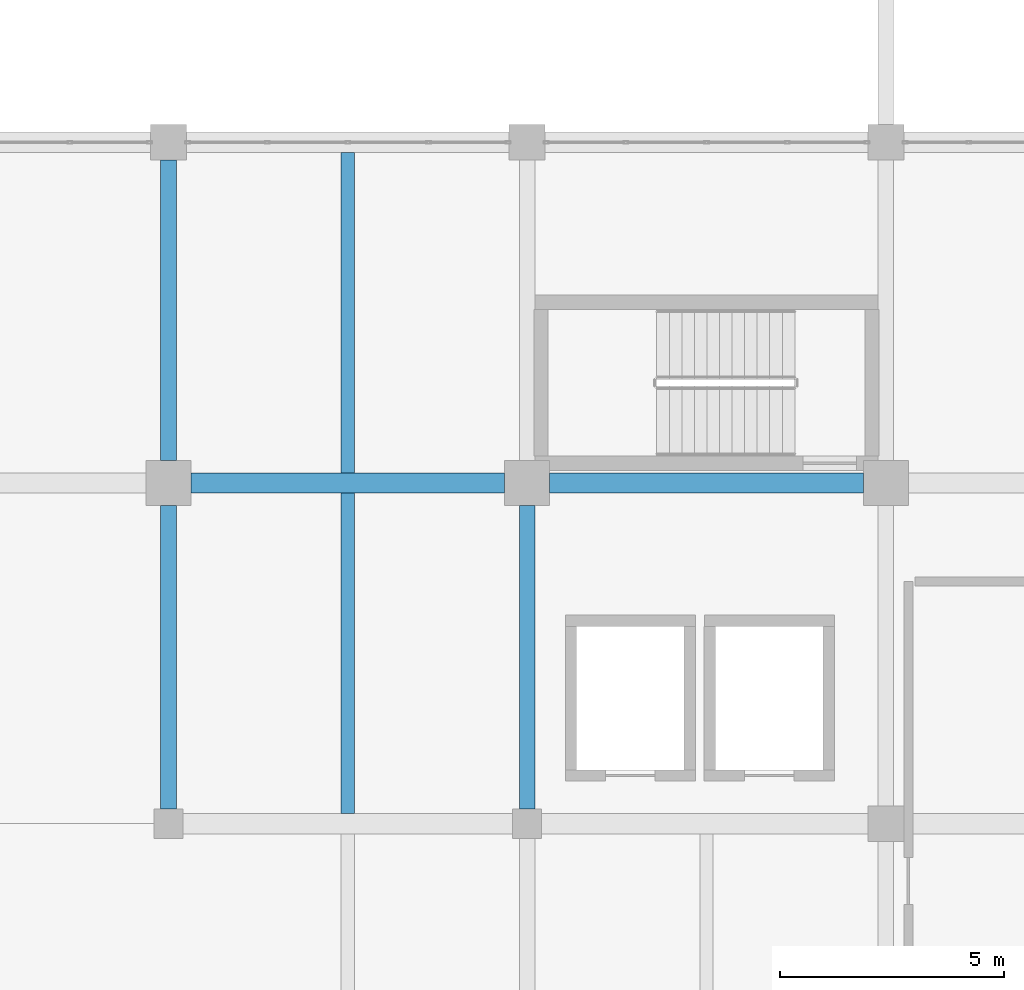
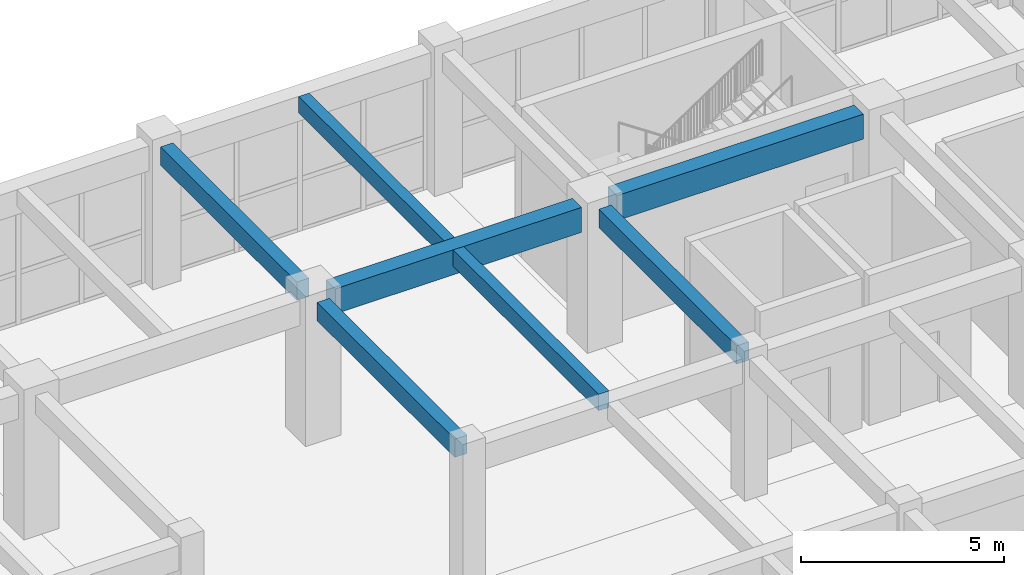
# One storey, part 31 of 79: 7 beams.
"""IFC4 building model written with IfcOpenShell, lengths in metres."""

from ifc_helpers import new_model, si_unit, direction, frame, origin, origin_2d, place, context, subcontext, project, spatial, rectangle, extrude, material, material_profile, profile_set, type_object, element, save


model = new_model("IFC4")

# Units and contexts
model_context = context("Model", 3, precision=1e-05, world=origin(), true_north=direction((0.0, 1.0)))
body_context = subcontext(model_context, "Body", "Model", "MODEL_VIEW")
ifc_project = project(units=[si_unit("LENGTHUNIT", "METRE"), si_unit("AREAUNIT", "SQUARE_METRE"), si_unit("VOLUMEUNIT", "CUBIC_METRE"), si_unit("PLANEANGLEUNIT", "RADIAN"), si_unit("MASSUNIT", "GRAM", prefix="KILO")], contexts=[model_context])

# Site, building, storey
site_placement = place(None, origin())
site = spatial("IfcSite", under=ifc_project, at=site_placement, CompositionType="ELEMENT")
building_placement = place(site_placement, origin())
building = spatial("IfcBuilding", under=site, at=building_placement, Name="Zantavel Square City Hall", CompositionType="ELEMENT")
storey_placement = place(building_placement, frame((0.0, 0.0, 10.199951171875)))
storey = spatial("IfcBuildingStorey", under=building, at=storey_placement, Name="L03", CompositionType="ELEMENT", Elevation=10.199951171875)

# Beams
ifc_material = material(Name="Concrete C35/45", Category="concrete")
ifc_material_profile_1 = material_profile(ifc_material, rectangle(XDim=0.300048828125, YDim=0.5, at=origin_2d()), Name="RC 300x500")
ifc_profile_set_1 = profile_set([ifc_material_profile_1], Name="Concrete C35/45")
beam_type_1 = type_object("IfcBeamType", Name="Floor Joist RC 300x500 C35/45", PredefinedType="JOIST", material=ifc_profile_set_1)
beam_1_placement = place(storey_placement, frame((92.0, 53.425048828125, 3.969970703125), z_axis=(0.0, 1.0, 0.0), x_axis=(-1.0, 0.0, 0.0)))
element("IfcBeam", 1, at=beam_1_placement, inside=storey, type_object=beam_type_1, Name="L03 Floor Joist JST-L03-0920-0532", PredefinedType="JOIST", context=body_context, shape_type="SweptSolid", body=[
    extrude(rectangle(XDim=0.300048828125, YDim=0.5, at=origin_2d()), origin(), (0.0, 0.0, 1.0), 7.14990234375),
])
beam_2_placement = place(storey_placement, frame((92.0, 61.02490234375, 3.969970703125), z_axis=(0.0, 1.0, 0.0), x_axis=(-1.0, 0.0, 0.0)))
element("IfcBeam", 2, at=beam_2_placement, inside=storey, type_object=beam_type_1, Name="L03 Floor Joist JST-L03-0920-0608", PredefinedType="JOIST", context=body_context, shape_type="SweptSolid", body=[
    extrude(rectangle(XDim=0.300048828125, YDim=0.5, at=origin_2d()), origin(), (0.0, 0.0, 1.0), 7.150146484375),
])
ifc_material_profile_2 = material_profile(ifc_material, rectangle(XDim=0.449951171875, YDim=0.75, at=origin_2d()), Name="RC 450x750")
ifc_profile_set_2 = profile_set([ifc_material_profile_2], Name="Concrete C35/45")
beam_type_2 = type_object("IfcBeamType", Name="Primary Girder RC 450x750 C35/45", PredefinedType="BEAM", material=ifc_profile_set_2)
for number, where, z_axis, x_axis, name in (
    (3, (88.5, 60.800048828125, 3.844970703125), (1.0, 0.0, 0.0), (0.0, 1.0, 0.0), "L03 Girder BMX-L03-0880-0608"),
    (4, (96.5, 60.800048828125, 3.844970703125), (1.0, 0.0, 0.0), (0.0, 1.0, 0.0), "L03 Girder BMX-L03-0960-0608"),
):
    element("IfcBeam", number, at=place(storey_placement, frame(where, z_axis=z_axis, x_axis=x_axis)), inside=storey, type_object=beam_type_2, Name=name, PredefinedType="BEAM", context=body_context, shape_type="SweptSolid", body=[
        extrude(rectangle(XDim=0.449951171875, YDim=0.75, at=origin_2d()), origin(), (0.0, 0.0, 1.0), 7.0),
    ])
ifc_material_profile_3 = material_profile(ifc_material, rectangle(XDim=0.35009765625, YDim=0.550048828125, at=origin_2d()), Name="RC 350x550")
ifc_profile_set_3 = profile_set([ifc_material_profile_3], Name="Concrete C35/45")
beam_type_3 = type_object("IfcBeamType", Name="Secondary Beam RC 350x550 C35/45", PredefinedType="BEAM", material=ifc_profile_set_3)
beam_3_placement = place(storey_placement, frame((88.0, 53.52490234375, 3.945068359375), z_axis=(0.0, 1.0, 0.0), x_axis=(-1.0, 0.0, 0.0)))
element("IfcBeam", 5, at=beam_3_placement, inside=storey, type_object=beam_type_3, Name="L03 Beam BMY-L03-0880-0532", PredefinedType="BEAM", context=body_context, shape_type="SweptSolid", body=[
    extrude(rectangle(XDim=0.35009765625, YDim=0.550048828125, at=origin_2d()), origin(), (0.0, 0.0, 1.0), 6.775146484375),
])
beam_4_placement = place(storey_placement, frame((88.0, 61.300048828125, 3.945068359375), z_axis=(0.0, 1.0, 0.0), x_axis=(-1.0, 0.0, 0.0)))
element("IfcBeam", 6, at=beam_4_placement, inside=storey, type_object=beam_type_3, Name="L03 Beam BMY-L03-0880-0608", PredefinedType="BEAM", context=body_context, shape_type="SweptSolid", body=[
    extrude(rectangle(XDim=0.35009765625, YDim=0.550048828125, at=origin_2d()), origin(), (0.0, 0.0, 1.0), 6.699951171875),
])
beam_5_placement = place(storey_placement, frame((96.0, 53.52490234375, 3.945068359375), z_axis=(0.0, 1.0, 0.0), x_axis=(-1.0, 0.0, 0.0)))
element("IfcBeam", 7, at=beam_5_placement, inside=storey, type_object=beam_type_3, Name="L03 Beam BMY-L03-0960-0532", PredefinedType="BEAM", context=body_context, shape_type="SweptSolid", body=[
    extrude(rectangle(XDim=0.35009765625, YDim=0.550048828125, at=origin_2d()), origin(), (0.0, 0.0, 1.0), 6.775146484375),
])

save(model, "model.ifc")
